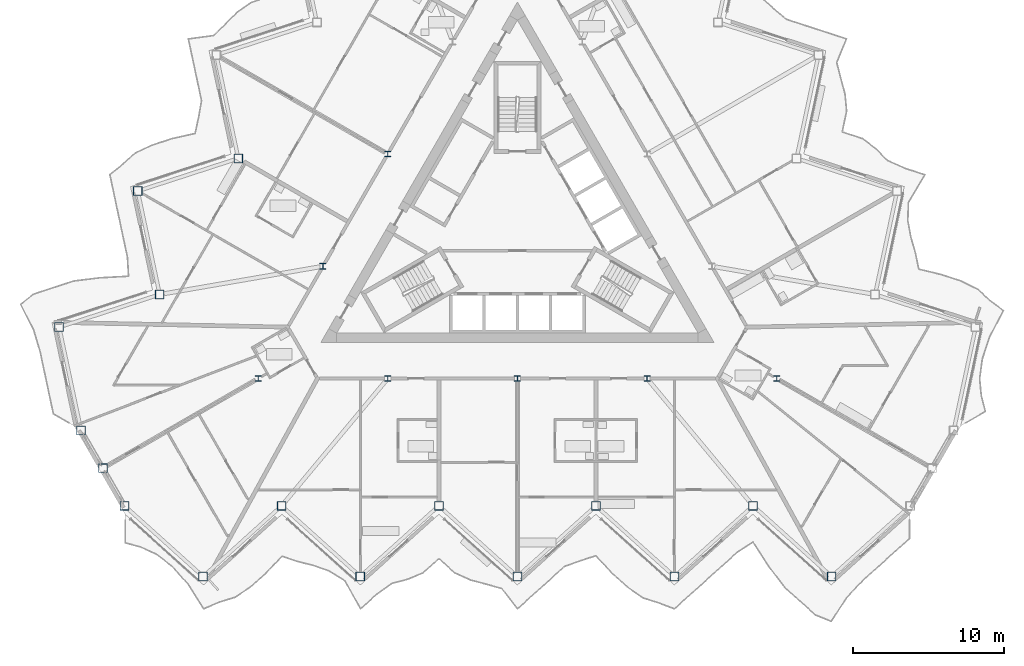
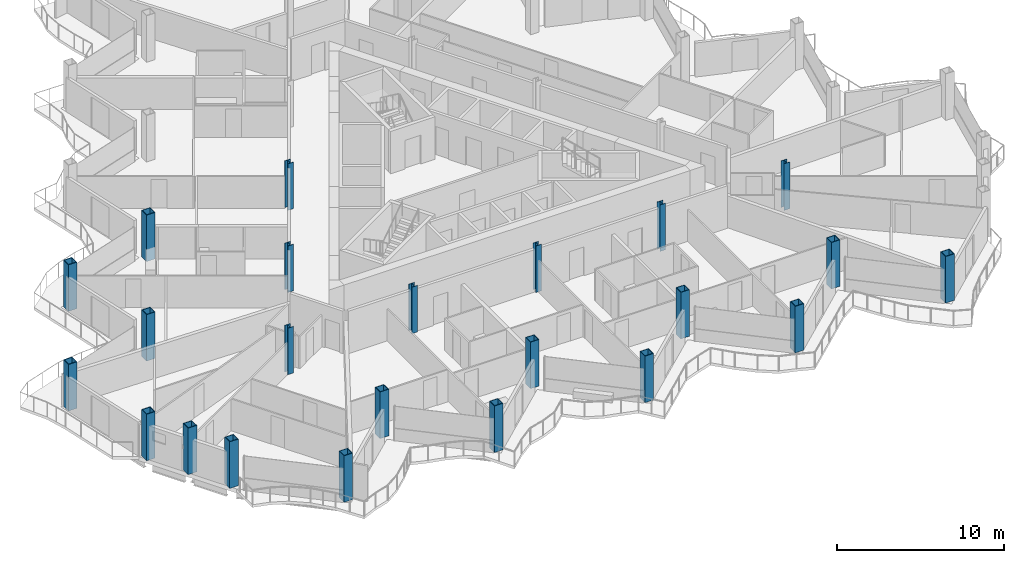
# One storey, part 1 of 27: 23 columns.
"""IFC4 building model written with IfcOpenShell, lengths in metres."""

from ifc_helpers import new_model, si_unit, direction, frame, origin, origin_2d, place, context, subcontext, project, spatial, hollow_rectangle, i_section, extrude, material, material_profile, profile_set, type_object, element, save


model = new_model("IFC4")

# Units and contexts
model_context = context("Model", 3, precision=1e-05, world=origin(), true_north=direction((0.0, 1.0)))
body_context = subcontext(model_context, "Body", "Model", "MODEL_VIEW")
ifc_project = project(units=[si_unit("LENGTHUNIT", "METRE"), si_unit("AREAUNIT", "SQUARE_METRE"), si_unit("VOLUMEUNIT", "CUBIC_METRE"), si_unit("PLANEANGLEUNIT", "RADIAN"), si_unit("MASSUNIT", "GRAM", prefix="KILO")], contexts=[model_context])

# Site, building, storey
site_placement = place(None, origin())
site = spatial("IfcSite", under=ifc_project, at=site_placement, CompositionType="ELEMENT")
building_placement = place(site_placement, origin())
building = spatial("IfcBuilding", under=site, at=building_placement, Name="Cormorant Prow Tower", CompositionType="ELEMENT")
storey_placement = place(building_placement, frame((0.0, 0.0, 312.0)))
storey = spatial("IfcBuildingStorey", under=building, at=storey_placement, Name="L68", CompositionType="ELEMENT", Elevation=312.0)

# Columns
ifc_material_1 = material(Name="Structural steel ASTM A572 Gr 50", Category="steel")
ifc_material_profile_1 = material_profile(ifc_material_1, hollow_rectangle(XDim=0.60009765625, YDim=0.60009765625, WallThickness=0.0400390625, at=origin_2d()), Name="Box 600x600x40")
ifc_profile_set_1 = profile_set([ifc_material_profile_1], Name="Structural steel ASTM A572 Gr 50")
column_type_1 = type_object("IfcColumnType", Name="Perimeter box column 600x600x40", PredefinedType="COLUMN", material=ifc_profile_set_1)
for number, where, z_axis, x_axis, name in (
    (1, (-25.995361328125, -18.326904296875, 0.0), (0.0, 0.0, 1.0), (1.0, 0.0, 0.0), "Perimeter column C6 at S00 L68"),
    (2, (-20.79638671875, -23.008056640625, 0.0), (0.0, 0.0, 1.0), (1.0, 0.0, 0.0), "Perimeter column C6 at S01 L68"),
    (3, (-15.59716796875, -18.326904296875, 0.0), (0.0, 0.0, 1.0), (1.0, 0.0, 0.0), "Perimeter column C6 at S02 L68"),
    (4, (-10.398193359375, -23.008056640625, 0.0), (0.0, 0.0, 1.0), (1.0, 0.0, 0.0), "Perimeter column C6 at S03 L68"),
    (5, (-5.198974609375, -18.326904296875, 0.0), (0.0, 0.0, 1.0), (1.0, 0.0, 0.0), "Perimeter column C6 at S04 L68"),
    (6, (0.0, -23.008056640625, 0.0), (0.0, 0.0, 1.0), (1.0, 0.0, 0.0), "Perimeter column C6 at S05 L68"),
    (7, (5.198974609375, -18.326904296875, 0.0), (0.0, 0.0, 1.0), (1.0, 0.0, 0.0), "Perimeter column C6 at S06 L68"),
    (8, (10.398193359375, -23.008056640625, 0.0), (0.0, 0.0, 1.0), (1.0, 0.0, 0.0), "Perimeter column C6 at S07 L68"),
    (9, (15.59716796875, -18.326904296875, 0.0), (0.0, 0.0, 1.0), (1.0, 0.0, 0.0), "Perimeter column C6 at S08 L68"),
    (10, (20.79638671875, -23.008056640625, 0.0), (0.0, 0.0, 1.0), (1.0, 0.0, 0.0), "Perimeter column C6 at S09 L68"),
    (11, (-18.470947265625, 4.660888671875, 0.0), (0.0, 0.0, 1.0), (1.0, 0.0, 0.0), "Perimeter column C6 at WNW06 L68"),
    (12, (-25.124755859375, 2.4990234375, 0.0), (0.0, 0.0, 1.0), (1.0, 0.0, 0.0), "Perimeter column C6 at WNW07 L68"),
    (13, (-23.670166015625, -4.34423828125, 0.0), (0.0, 0.0, 1.0), (1.0, 0.0, 0.0), "Perimeter column C6 at WNW08 L68"),
    (14, (-30.32373046875, -6.506103515625, 0.0), (0.0, 0.0, 1.0), (1.0, 0.0, 0.0), "Perimeter column C6 at WNW09 L68"),
    (15, (-28.869140625, -13.349365234375, 0.0), (0.0, 0.0, 1.0), (1.0, 0.0, 0.0), "Perimeter column C6 at WSW00 L68"),
    (16, (-27.432373046875, -15.838134765625, 0.0), (0.0, 0.0, 1.0), (1.0, 0.0, 0.0), "Perimeter column C6 at WSW01 L68"),
):
    element("IfcColumn", number, at=place(storey_placement, frame(where, z_axis=z_axis, x_axis=x_axis)), inside=storey, type_object=column_type_1, Name=name, PredefinedType="COLUMN", context=body_context, shape_type="SweptSolid", body=[
        extrude(hollow_rectangle(XDim=0.60009765625, YDim=0.60009765625, WallThickness=0.0400390625, at=origin_2d()), origin(), (0.0, 0.0, 1.0), 3.39990234375),
    ])
ifc_material_2 = material(Name="Structural steel ASTM A992 Gr 50", Category="steel")
ifc_material_profile_2 = material_profile(ifc_material_2, i_section(OverallWidth=0.3955078125, OverallDepth=0.380615234375, WebThickness=0.018798828125, FlangeThickness=0.0302734375, at=origin_2d()), Name="W14x159")
ifc_profile_set_2 = profile_set([ifc_material_profile_2], Name="Structural steel ASTM A992 Gr 50")
column_type_2 = type_object("IfcColumnType", Name="Ring column W14x159", PredefinedType="COLUMN", material=ifc_profile_set_2)
for number, where, z_axis, x_axis, name in (
    (17, (-8.578369140625, 4.952880859375, 0.0), (0.0, 0.0, 1.0), (1.0, 0.0, 0.0), "Ring column 3 L68"),
    (18, (-12.86767578125, -2.476318359375, 0.0), (0.0, 0.0, 1.0), (1.0, 0.0, 0.0), "Ring column 4 L68"),
    (19, (-17.156982421875, -9.905517578125, 0.0), (0.0, 0.0, 1.0), (1.0, 0.0, 0.0), "Ring column 5 L68"),
    (20, (-8.578369140625, -9.905517578125, 0.0), (0.0, 0.0, 1.0), (1.0, 0.0, 0.0), "Ring column 6 L68"),
    (21, (0.0, -9.905517578125, 0.0), (0.0, 0.0, 1.0), (1.0, 0.0, 0.0), "Ring column 7 L68"),
    (22, (8.578369140625, -9.905517578125, 0.0), (0.0, 0.0, 1.0), (1.0, 0.0, 0.0), "Ring column 8 L68"),
    (23, (17.156982421875, -9.905517578125, 0.0), (0.0, 0.0, 1.0), (1.0, 0.0, 0.0), "Ring column 9 L68"),
):
    element("IfcColumn", number, at=place(storey_placement, frame(where, z_axis=z_axis, x_axis=x_axis)), inside=storey, type_object=column_type_2, Name=name, PredefinedType="COLUMN", context=body_context, shape_type="SweptSolid", body=[
        extrude(i_section(OverallWidth=0.3955078125, OverallDepth=0.380615234375, WebThickness=0.018798828125, FlangeThickness=0.0302734375, at=origin_2d()), origin(), (0.0, 0.0, 1.0), 3.39990234375),
    ])

save(model, "model.ifc")
